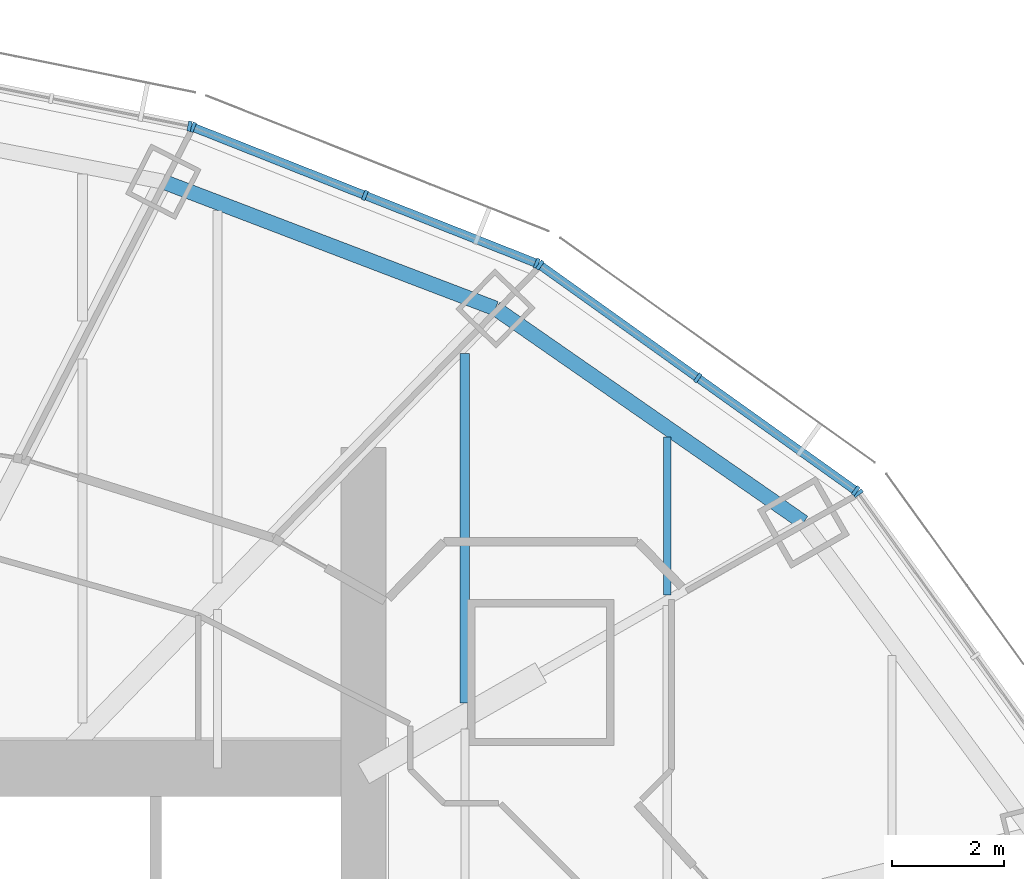
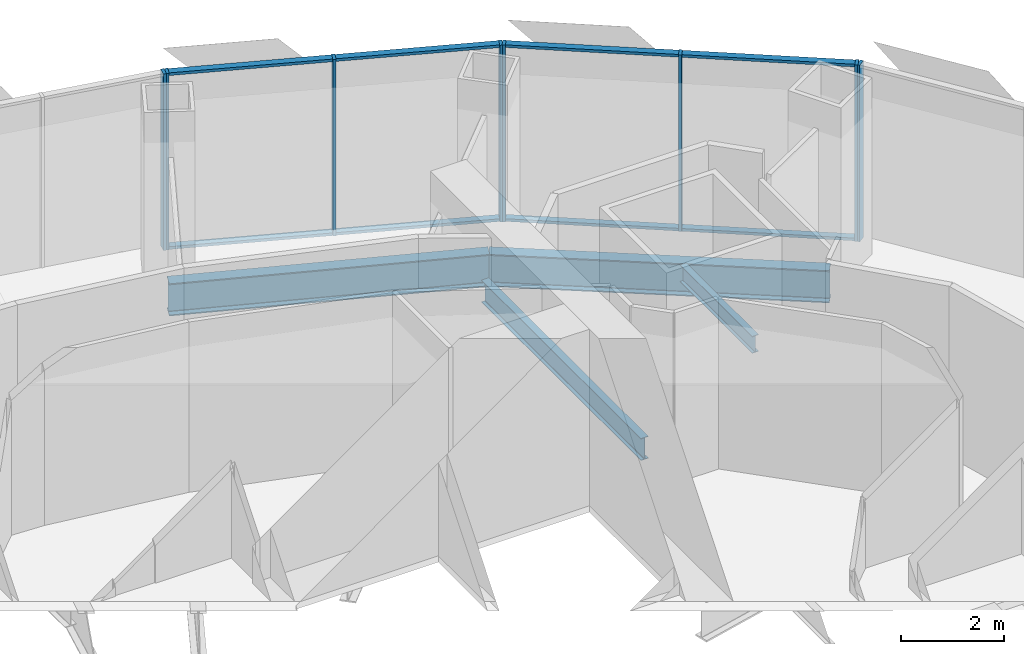
# One storey, part 9 of 18: 16 members, 4 beams, 4 elements without a shape of their own.
"""IFC4 building model written with IfcOpenShell, lengths in metres."""

import ifcopenshell
import ifcopenshell.guid

model = None  # the IFC model being written
_history = None  # IfcOwnerHistory: only IFC2X3 demands one
_inside = {}  # id of a spatial element -> (the spatial element, [elements in it])
_under = {}  # id of a project, library or spatial element -> (it, [spatial elements below it])
_declared = {}  # id of a project -> (the project, [libraries it declares])
_typed = {}  # id of a type object -> (the type object, [elements of that type])
_made_of = {}  # id of a material, layer set ... -> (it, [elements and type objects made of it])


def new_model(schema):
    """Start an empty IFC model of exactly this schema.

    Asked for "IFC4X3", IfcOpenShell would pick the latest addendum, in which some entities
    have other attributes; the version numbers below select the first issue.
    IFC2X3 requires an IfcOwnerHistory on every rooted entity: one is made here for all.
    """
    global model, _history
    if schema == "IFC4X3":
        model = ifcopenshell.file(schema_version=(4, 3, 0, 0))
    else:
        model = ifcopenshell.file(schema=schema)
    _inside.clear()
    _under.clear()
    _declared.clear()
    _typed.clear()
    _made_of.clear()
    _history = None
    if model.schema == "IFC2X3":
        org = make("IfcOrganization", Name="unknown")
        user = make(
            "IfcPersonAndOrganization",
            ThePerson=make("IfcPerson", FamilyName="unknown"),
            TheOrganization=org,
        )
        app = make(
            "IfcApplication",
            ApplicationDeveloper=org,
            Version="unknown",
            ApplicationFullName="unknown",
            ApplicationIdentifier="unknown",
        )
        _history = make(
            "IfcOwnerHistory",
            OwningUser=user,
            OwningApplication=app,
            ChangeAction="ADDED",
            CreationDate=0,
        )
    return model


def make(cls, **values):
    """One entity of the class cls with the attributes given. An attribute that is None is left unset."""
    return model.create_entity(
        cls, **{name: value for name, value in values.items() if value is not None}
    )


def rooted(cls, **values):
    """An entity with a GlobalId (a new one), such as an element, a storey or a relation."""
    return make(cls, GlobalId=ifcopenshell.guid.new(), OwnerHistory=_history, **values)


def si_unit(unit_type, name, prefix=None):
    """IfcSIUnit, for example si_unit("LENGTHUNIT", "METRE", prefix="MILLI")."""
    return make("IfcSIUnit", UnitType=unit_type, Prefix=prefix, Name=name)


def assignment(units):
    """IfcUnitAssignment: the units of a project."""
    return None if units is None else make("IfcUnitAssignment", Units=units)


def point(xyz):
    """IfcCartesianPoint."""
    return None if xyz is None else make("IfcCartesianPoint", Coordinates=xyz)


def direction(xyz):
    """IfcDirection."""
    return None if xyz is None else make("IfcDirection", DirectionRatios=xyz)


def frame(location, z_axis=None, x_axis=None):
    """IfcAxis2Placement3D, a coordinate frame: its origin and axes. An axis left out is left unset."""
    return make(
        "IfcAxis2Placement3D",
        Location=point(location),
        Axis=direction(z_axis),
        RefDirection=direction(x_axis),
    )


def frame_2d(location, x_axis=None):
    """IfcAxis2Placement2D, a coordinate frame in the plane: its origin and x axis."""
    return make(
        "IfcAxis2Placement2D", Location=point(location), RefDirection=direction(x_axis)
    )


def origin():
    """The frame at (0, 0, 0) with its axes left unset."""
    return frame((0.0, 0.0, 0.0))


def origin_2d():
    """The frame at (0, 0) in the plane with its x axis left unset."""
    return frame_2d((0.0, 0.0))


def place(relative_to, where):
    """IfcLocalPlacement: puts the frame where relative to a parent placement (None: the world)."""
    return make(
        "IfcLocalPlacement", PlacementRelTo=relative_to, RelativePlacement=where
    )


def context(
    kind, dimensions, precision=None, world=None, true_north=None, identifier=None
):
    """IfcGeometricRepresentationContext, for example the 3D "Model" context."""
    return make(
        "IfcGeometricRepresentationContext",
        ContextIdentifier=identifier,
        ContextType=kind,
        CoordinateSpaceDimension=dimensions,
        Precision=precision,
        WorldCoordinateSystem=world,
        TrueNorth=true_north,
    )


def subcontext(parent, identifier, kind, view, scale=None):
    """IfcGeometricRepresentationSubContext, for example "Body" below "Model"."""
    return make(
        "IfcGeometricRepresentationSubContext",
        ContextIdentifier=identifier,
        ContextType=kind,
        ParentContext=parent,
        TargetScale=scale,
        TargetView=view,
    )


def project(units=None, contexts=None):
    """IfcProject with its units and contexts."""
    return rooted(
        "IfcProject",
        Name="project",
        RepresentationContexts=contexts,
        UnitsInContext=assignment(units),
    )


def spatial(cls, under=None, at=None, **own):
    """A site, building, storey or space (cls), placed at a placement, below another one or the project."""
    s = rooted(cls, ObjectPlacement=at, **own)
    if under is not None:
        _under.setdefault(under.id(), (under, []))[1].append(s)
    return s


def profile(cls, at=None, kind="AREA", **sizes):
    """A parametric profile (cls). Its sizes go by their IFC names, for example OverallWidth=200.0."""
    return make(cls, ProfileType=kind, Position=at, **sizes)


def rectangle(**sizes):
    """IfcRectangleProfileDef."""
    return profile("IfcRectangleProfileDef", **sizes)


def i_section(**sizes):
    """IfcIShapeProfileDef."""
    return profile("IfcIShapeProfileDef", **sizes)


def extrude(swept, where, along, depth):
    """IfcExtrudedAreaSolid: the profile swept, set in the frame where, extruded along a direction by depth."""
    return make(
        "IfcExtrudedAreaSolid",
        SweptArea=swept,
        Position=where,
        ExtrudedDirection=direction(along),
        Depth=depth,
    )


def shape(context_of_items, identifier, shape_type, items):
    """IfcShapeRepresentation: the items that make up one representation, for example the "Body"."""
    return make(
        "IfcShapeRepresentation",
        ContextOfItems=context_of_items,
        RepresentationIdentifier=identifier,
        RepresentationType=shape_type,
        Items=items,
    )


def material(Name=None, Category=None):
    """IfcMaterial."""
    return make("IfcMaterial", Name=Name, Category=Category)


def material_profile(
    of_material, cross_section, Name=None, Category=None, Priority=None
):
    """IfcMaterialProfile: a cross section and its material."""
    return make(
        "IfcMaterialProfile",
        Name=Name,
        Material=of_material,
        Profile=cross_section,
        Priority=Priority,
        Category=Category,
    )


def profile_set(profiles, Name=None, composite=None):
    """IfcMaterialProfileSet."""
    return make(
        "IfcMaterialProfileSet",
        Name=Name,
        MaterialProfiles=profiles,
        CompositeProfile=composite,
    )


def made_of(thing, what):
    """Note that an element or type object is made of a material, layer set ...; save() writes the relation."""
    if what is not None:
        _made_of.setdefault(what.id(), (what, []))[1].append(thing)
    return thing


def type_object(cls, material=None, **own):
    """A type object (cls), such as IfcWallType, which elements share."""
    return made_of(rooted(cls, **own), material)


def element(
    cls,
    number,
    at=None,
    inside=None,
    cuts=None,
    type_object=None,
    material=None,
    context=None,
    identifier="Body",
    shape_type=None,
    held_by="IfcProductDefinitionShape",
    body=None,
    shapes=None,
    **own,
):
    """One element of the class cls, such as IfcWall. Its Tag is "e" and its number.

    at: its placement. inside: the storey or other place that contains it. cuts: it is an
    opening in that element (IfcRelVoidsElement). A single representation is given by context,
    identifier, shape_type and body (its items); several are given by shapes. held_by: the class
    of the entity that holds the representations. save() writes the other relations.
    """
    e = rooted(cls, Tag="e%d" % number, ObjectPlacement=at, **own)
    if body is not None:
        shapes = [shape(context, identifier, shape_type, body)]
    if shapes is not None:
        e.Representation = make(held_by, Representations=shapes)
    if inside is not None:
        _inside.setdefault(inside.id(), (inside, []))[1].append(e)
    if cuts is not None:
        rooted(
            "IfcRelVoidsElement", RelatingBuildingElement=cuts, RelatedOpeningElement=e
        )
    if type_object is not None:
        _typed.setdefault(type_object.id(), (type_object, []))[1].append(e)
    return made_of(e, material)


def aggregate(whole, parts):
    """IfcRelAggregates: a whole, such as a stair, and the parts it consists of."""
    return rooted("IfcRelAggregates", RelatingObject=whole, RelatedObjects=parts)


def save(model, path):
    """Write the relations noted so far, then the file.

    IfcRelAggregates (storeys below a building ...), IfcRelContainedInSpatialStructure (elements
    in a storey), IfcRelDefinesByType, IfcRelAssociatesMaterial and IfcRelDeclares: one each for
    every whole, place, type object, material and project.
    """
    for whole, parts in _under.values():
        aggregate(whole, parts)
    for where, things in _inside.values():
        rooted(
            "IfcRelContainedInSpatialStructure",
            RelatedElements=things,
            RelatingStructure=where,
        )
    for kind, things in _typed.values():
        rooted("IfcRelDefinesByType", RelatedObjects=things, RelatingType=kind)
    for what, things in _made_of.values():
        rooted("IfcRelAssociatesMaterial", RelatedObjects=things, RelatingMaterial=what)
    for by, libraries in _declared.values():
        rooted("IfcRelDeclares", RelatingContext=by, RelatedDefinitions=libraries)
    model.write(path)


model = new_model("IFC4")

# Units and contexts
model_context = context("Model", 3, precision=1e-05, world=origin(), true_north=direction((0.0, 1.0)))
body_context = subcontext(model_context, "Body", "Model", "MODEL_VIEW")
ifc_project = project(units=[si_unit("LENGTHUNIT", "METRE"), si_unit("AREAUNIT", "SQUARE_METRE"), si_unit("VOLUMEUNIT", "CUBIC_METRE"), si_unit("PLANEANGLEUNIT", "RADIAN"), si_unit("MASSUNIT", "GRAM", prefix="KILO")], contexts=[model_context])

# Site, building, storey
site_placement = place(None, origin())
site = spatial("IfcSite", under=ifc_project, at=site_placement, CompositionType="ELEMENT")
building_placement = place(site_placement, origin())
building = spatial("IfcBuilding", under=site, at=building_placement, Name="Lantaw Convention Tower", CompositionType="ELEMENT")
storey_placement = place(building_placement, frame((0.0, 0.0, 236.800048828125)))
storey = spatial("IfcBuildingStorey", under=building, at=storey_placement, Name="L55", CompositionType="ELEMENT", Elevation=236.800048828125)

# Beams
ifc_material_1 = material(Name="Steel ASTM A992", Category="steel")
ifc_material_profile_1 = material_profile(ifc_material_1, i_section(OverallWidth=0.2666015625, OverallDepth=0.76953125, WebThickness=0.015625, FlangeThickness=0.025390625, FilletRadius=0.0126953125, at=origin_2d()), Name="W30X132")
ifc_profile_set_1 = profile_set([ifc_material_profile_1], Name="Steel ASTM A992")
beam_type_1 = type_object("IfcBeamType", Name="Beam E W30X132", PredefinedType="SPANDREL", material=ifc_profile_set_1)
beam_1_placement = place(storey_placement, frame((20.423095703125, 11.67041015625, -0.534912109375), z_axis=(-0.82135329406, 0.570419815869, 0.0), x_axis=(-0.570419815869, -0.82135329406, 0.0)))
element("IfcBeam", 1, at=beam_1_placement, inside=storey, type_object=beam_type_1, Name="Edge beam 3", PredefinedType="SPANDREL", context=body_context, shape_type="SweptSolid", body=[
    extrude(i_section(OverallWidth=0.2666015625, OverallDepth=0.76953125, WebThickness=0.015625, FlangeThickness=0.025390625, FilletRadius=0.0126953125, at=origin_2d()), origin(), (0.0, 0.0, 1.0), 6.67041015625),
])
beam_2_placement = place(storey_placement, frame((14.9443359375, 15.475341796875, -0.534912109375), z_axis=(-0.934234988, 0.356658081637, 0.0), x_axis=(-0.356658081637, -0.934234988, 0.0)))
element("IfcBeam", 2, at=beam_2_placement, inside=storey, type_object=beam_type_1, Name="Edge beam 4", PredefinedType="SPANDREL", context=body_context, shape_type="SweptSolid", body=[
    extrude(i_section(OverallWidth=0.2666015625, OverallDepth=0.76953125, WebThickness=0.015625, FlangeThickness=0.025390625, FilletRadius=0.0126953125, at=origin_2d()), origin(), (0.0, 0.0, 1.0), 6.32568359375),
])
ifc_material_profile_2 = material_profile(ifc_material_1, i_section(OverallWidth=0.140380859375, OverallDepth=0.40380859375, WebThickness=0.007080078125, FlangeThickness=0.01123046875, FilletRadius=0.01025390625, at=origin_2d()), Name="W16X31")
ifc_profile_set_2 = profile_set([ifc_material_profile_2], Name="Steel ASTM A992")
beam_type_2 = type_object("IfcBeamType", Name="Beam J W16X31", PredefinedType="JOIST", material=ifc_profile_set_2)
beam_3_placement = place(storey_placement, frame((18.0, 10.380859375, -0.35205078125), z_axis=(0.0, 1.0, 0.0), x_axis=(-1.0, 0.0, 0.0)))
element("IfcBeam", 3, at=beam_3_placement, inside=storey, type_object=beam_type_2, Name="Floor joist", PredefinedType="JOIST", context=body_context, shape_type="SweptSolid", body=[
    extrude(i_section(OverallWidth=0.140380859375, OverallDepth=0.40380859375, WebThickness=0.007080078125, FlangeThickness=0.01123046875, FilletRadius=0.01025390625, at=origin_2d()), origin(), (0.0, 0.0, 1.0), 2.81005859375),
])
ifc_material_profile_3 = material_profile(ifc_material_1, i_section(OverallWidth=0.1650390625, OverallDepth=0.52587890625, WebThickness=0.0087890625, FlangeThickness=0.011474609375, FilletRadius=0.0126953125, at=origin_2d()), Name="W21X44")
ifc_profile_set_3 = profile_set([ifc_material_profile_3], Name="Steel ASTM A992")
beam_type_3 = type_object("IfcBeamType", Name="Beam J W21X44", PredefinedType="JOIST", material=ifc_profile_set_3)
beam_4_placement = place(storey_placement, frame((14.39990234375, 8.461181640625, -0.412841796875), z_axis=(0.0, 1.0, 0.0), x_axis=(-1.0, 0.0, 0.0)))
element("IfcBeam", 4, at=beam_4_placement, inside=storey, type_object=beam_type_3, Name="Floor joist", PredefinedType="JOIST", context=body_context, shape_type="SweptSolid", body=[
    extrude(i_section(OverallWidth=0.1650390625, OverallDepth=0.52587890625, WebThickness=0.0087890625, FlangeThickness=0.011474609375, FilletRadius=0.0126953125, at=origin_2d()), origin(), (0.0, 0.0, 1.0), 6.214599609375),
])

# Curtain wall, member
ifc_material_2 = material(Name="Aluminium framed curtain wall", Category="aluminium")
curtain_wall_type = type_object("IfcCurtainWallType", Name="Office curtain wall high rise, pale aluminium", PredefinedType="USERDEFINED", material=ifc_material_2)
curtain_wall_1_placement = place(storey_placement, origin())
curtain_wall_1 = element("IfcCurtainWall", 5, at=curtain_wall_1_placement, inside=storey, type_object=curtain_wall_type, Name="Office curtain wall high rise, pale aluminium L55", ObjectType="UNITISED CURTAIN WALL", PredefinedType="USERDEFINED")
ifc_material_3 = material(Name="Aluminium 6063-T6", Category="aluminium")
ifc_material_profile_4 = material_profile(ifc_material_3, rectangle(XDim=0.179931640625, YDim=0.06494140625, at=origin_2d()), Name="CW-O2 mullion 65x180")
ifc_profile_set_4 = profile_set([ifc_material_profile_4], Name="Aluminium 6063-T6")
member_type_1 = type_object("IfcMemberType", Name="CW-O2 mullion 65x180", PredefinedType="MULLION", material=ifc_profile_set_4)
member_1_placement = place(storey_placement, frame((21.397216796875, 12.189697265625, -0.150146484375), z_axis=(0.0, 0.0, 1.0), x_axis=(-0.810919559405, -0.585157643865, 0.0)))
member_1 = element("IfcMember", 6, at=member_1_placement, type_object=member_type_1, Name="CW-O2 mullion 3", PredefinedType="MULLION", context=body_context, shape_type="SweptSolid", body=[
    extrude(rectangle(XDim=0.179931640625, YDim=0.06494140625, at=origin_2d()), origin(), (0.0, 0.0, 1.0), 4.2001953125),
])
aggregate(curtain_wall_1, [member_1])

# Curtain wall, members
curtain_wall_2_placement = place(storey_placement, origin())
curtain_wall_2 = element("IfcCurtainWall", 7, at=curtain_wall_2_placement, inside=storey, type_object=curtain_wall_type, Name="Office curtain wall high rise, pale aluminium L55", ObjectType="UNITISED CURTAIN WALL", PredefinedType="USERDEFINED")
member_2_placement = place(storey_placement, frame((21.3515625, 12.23486328125, -0.150146484375), z_axis=(0.0, 0.0, 1.0), x_axis=(-0.581323487281, -0.813672540482, 0.0)))
member_2 = element("IfcMember", 8, at=member_2_placement, type_object=member_type_1, Name="CW-O2 mullion 1", PredefinedType="MULLION", context=body_context, shape_type="SweptSolid", body=[
    extrude(rectangle(XDim=0.179931640625, YDim=0.06494140625, at=origin_2d()), origin(), (0.0, 0.0, 1.0), 4.2001953125),
])
member_3_placement = place(storey_placement, frame((18.543212890625, 14.241455078125, -0.150146484375), z_axis=(0.0, 0.0, 1.0), x_axis=(-0.581323487281, -0.813672540482, 0.0)))
member_3 = element("IfcMember", 9, at=member_3_placement, type_object=member_type_1, Name="CW-O2 mullion 2", PredefinedType="MULLION", context=body_context, shape_type="SweptSolid", body=[
    extrude(rectangle(XDim=0.179931640625, YDim=0.06494140625, at=origin_2d()), origin(), (0.0, 0.0, 1.0), 4.2001953125),
])
member_4_placement = place(storey_placement, frame((15.73486328125, 16.247802734375, -0.150146484375), z_axis=(0.0, 0.0, 1.0), x_axis=(-0.581323487281, -0.813672540482, 0.0)))
member_4 = element("IfcMember", 10, at=member_4_placement, type_object=member_type_1, Name="CW-O2 mullion 3", PredefinedType="MULLION", context=body_context, shape_type="SweptSolid", body=[
    extrude(rectangle(XDim=0.179931640625, YDim=0.06494140625, at=origin_2d()), origin(), (0.0, 0.0, 1.0), 4.2001953125),
])

curtain_wall_3_placement = place(storey_placement, origin())
curtain_wall_3 = element("IfcCurtainWall", 11, at=curtain_wall_3_placement, inside=storey, type_object=curtain_wall_type, Name="Office curtain wall high rise, pale aluminium L55", ObjectType="UNITISED CURTAIN WALL", PredefinedType="USERDEFINED")
member_5_placement = place(storey_placement, frame((15.67822265625, 16.278564453125, -0.150146484375), z_axis=(0.0, 0.0, 1.0), x_axis=(-0.368162315252, -0.929761533743, 0.0)))
member_5 = element("IfcMember", 12, at=member_5_placement, type_object=member_type_1, Name="CW-O2 mullion 1", PredefinedType="MULLION", context=body_context, shape_type="SweptSolid", body=[
    extrude(rectangle(XDim=0.179931640625, YDim=0.06494140625, at=origin_2d()), origin(), (0.0, 0.0, 1.0), 4.2001953125),
])
member_6_placement = place(storey_placement, frame((12.621337890625, 17.4892578125, -0.150146484375), z_axis=(0.0, 0.0, 1.0), x_axis=(-0.368162315252, -0.929761533743, 0.0)))
member_6 = element("IfcMember", 13, at=member_6_placement, type_object=member_type_1, Name="CW-O2 mullion 2", PredefinedType="MULLION", context=body_context, shape_type="SweptSolid", body=[
    extrude(rectangle(XDim=0.179931640625, YDim=0.06494140625, at=origin_2d()), origin(), (0.0, 0.0, 1.0), 4.2001953125),
])
member_7_placement = place(storey_placement, frame((9.564208984375, 18.69970703125, -0.150146484375), z_axis=(0.0, 0.0, 1.0), x_axis=(-0.368162315252, -0.929761533743, 0.0)))
member_7 = element("IfcMember", 14, at=member_7_placement, type_object=member_type_1, Name="CW-O2 mullion 3", PredefinedType="MULLION", context=body_context, shape_type="SweptSolid", body=[
    extrude(rectangle(XDim=0.179931640625, YDim=0.06494140625, at=origin_2d()), origin(), (0.0, 0.0, 1.0), 4.2001953125),
])

# Curtain wall, member
curtain_wall_4_placement = place(storey_placement, origin())
curtain_wall_4 = element("IfcCurtainWall", 15, at=curtain_wall_4_placement, inside=storey, type_object=curtain_wall_type, Name="Office curtain wall high rise, pale aluminium L55", ObjectType="UNITISED CURTAIN WALL", PredefinedType="USERDEFINED")
member_8_placement = place(storey_placement, frame((9.502197265625, 18.718017578125, -0.150146484375), z_axis=(0.0, 0.0, 1.0), x_axis=(-0.197183095987, -0.980366679695, 0.0)))
member_8 = element("IfcMember", 16, at=member_8_placement, type_object=member_type_1, Name="CW-O2 mullion 1", PredefinedType="MULLION", context=body_context, shape_type="SweptSolid", body=[
    extrude(rectangle(XDim=0.179931640625, YDim=0.06494140625, at=origin_2d()), origin(), (0.0, 0.0, 1.0), 4.2001953125),
])
aggregate(curtain_wall_4, [member_8])

# Member
ifc_material_profile_5 = material_profile(ifc_material_3, rectangle(XDim=0.14990234375, YDim=0.06494140625, at=origin_2d()), Name="CW-O2 transom 65x150")
ifc_profile_set_5 = profile_set([ifc_material_profile_5], Name="Aluminium 6063-T6")
member_type_2 = type_object("IfcMemberType", Name="CW-O2 transom 65x150", PredefinedType="USERDEFINED", material=ifc_profile_set_5)
member_9_placement = place(storey_placement, frame((21.3251953125, 12.25390625, -0.117431640625), z_axis=(-0.813679882592, 0.581313210468, 0.0), x_axis=(-0.581313210468, -0.813679882592, 0.0)))
member_9 = element("IfcMember", 17, at=member_9_placement, type_object=member_type_2, Name="CW-O2 transom 1.1", ObjectType="TRANSOM", PredefinedType="USERDEFINED", context=body_context, shape_type="SweptSolid", body=[
    extrude(rectangle(XDim=0.14990234375, YDim=0.06494140625, at=origin_2d()), origin(), (0.0, 0.0, 1.0), 3.38623046875),
])

member_10_placement = place(storey_placement, frame((21.3251953125, 12.25390625, 4.017333984375), z_axis=(-0.813679882592, 0.581313210468, 0.0), x_axis=(-0.581313210468, -0.813679882592, 0.0)))
member_10 = element("IfcMember", 18, at=member_10_placement, type_object=member_type_2, Name="CW-O2 transom 1.2", ObjectType="TRANSOM", PredefinedType="USERDEFINED", context=body_context, shape_type="SweptSolid", body=[
    extrude(rectangle(XDim=0.14990234375, YDim=0.06494140625, at=origin_2d()), origin(), (0.0, 0.0, 1.0), 3.38623046875),
])

member_11_placement = place(storey_placement, frame((18.516845703125, 14.26025390625, -0.117431640625), z_axis=(-0.813645780821, 0.581360940683, 0.0), x_axis=(-0.581360940683, -0.813645780821, 0.0)))
member_11 = element("IfcMember", 19, at=member_11_placement, type_object=member_type_2, Name="CW-O2 transom 2.1", ObjectType="TRANSOM", PredefinedType="USERDEFINED", context=body_context, shape_type="SweptSolid", body=[
    extrude(rectangle(XDim=0.14990234375, YDim=0.06494140625, at=origin_2d()), origin(), (0.0, 0.0, 1.0), 3.386474609375),
])

member_12_placement = place(storey_placement, frame((18.516845703125, 14.26025390625, 4.017333984375), z_axis=(-0.813645780821, 0.581360940683, 0.0), x_axis=(-0.581360940683, -0.813645780821, 0.0)))
member_12 = element("IfcMember", 20, at=member_12_placement, type_object=member_type_2, Name="CW-O2 transom 2.2", ObjectType="TRANSOM", PredefinedType="USERDEFINED", context=body_context, shape_type="SweptSolid", body=[
    extrude(rectangle(XDim=0.14990234375, YDim=0.06494140625, at=origin_2d()), origin(), (0.0, 0.0, 1.0), 3.386474609375),
])

aggregate(curtain_wall_2, [member_2, member_3, member_4, member_9, member_10, member_11, member_12])

member_13_placement = place(storey_placement, frame((15.648193359375, 16.29052734375, -0.117431640625), z_axis=(-0.929740712354, 0.368214893495, 0.0), x_axis=(-0.368214893495, -0.929740712354, 0.0)))
member_13 = element("IfcMember", 21, at=member_13_placement, type_object=member_type_2, Name="CW-O2 transom 1.1", ObjectType="TRANSOM", PredefinedType="USERDEFINED", context=body_context, shape_type="SweptSolid", body=[
    extrude(rectangle(XDim=0.14990234375, YDim=0.06494140625, at=origin_2d()), origin(), (0.0, 0.0, 1.0), 3.22314453125),
])

member_14_placement = place(storey_placement, frame((15.648193359375, 16.29052734375, 4.017333984375), z_axis=(-0.929740712354, 0.368214893495, 0.0), x_axis=(-0.368214893495, -0.929740712354, 0.0)))
member_14 = element("IfcMember", 22, at=member_14_placement, type_object=member_type_2, Name="CW-O2 transom 1.2", ObjectType="TRANSOM", PredefinedType="USERDEFINED", context=body_context, shape_type="SweptSolid", body=[
    extrude(rectangle(XDim=0.14990234375, YDim=0.06494140625, at=origin_2d()), origin(), (0.0, 0.0, 1.0), 3.22314453125),
])

member_15_placement = place(storey_placement, frame((12.591064453125, 17.501220703125, -0.117431640625), z_axis=(-0.929766642946, 0.368149412149, 0.0), x_axis=(-0.368149412149, -0.929766642946, 0.0)))
member_15 = element("IfcMember", 23, at=member_15_placement, type_object=member_type_2, Name="CW-O2 transom 2.1", ObjectType="TRANSOM", PredefinedType="USERDEFINED", context=body_context, shape_type="SweptSolid", body=[
    extrude(rectangle(XDim=0.14990234375, YDim=0.06494140625, at=origin_2d()), origin(), (0.0, 0.0, 1.0), 3.222900390625),
])

member_16_placement = place(storey_placement, frame((12.591064453125, 17.501220703125, 4.017333984375), z_axis=(-0.929766642946, 0.368149412149, 0.0), x_axis=(-0.368149412149, -0.929766642946, 0.0)))
member_16 = element("IfcMember", 24, at=member_16_placement, type_object=member_type_2, Name="CW-O2 transom 2.2", ObjectType="TRANSOM", PredefinedType="USERDEFINED", context=body_context, shape_type="SweptSolid", body=[
    extrude(rectangle(XDim=0.14990234375, YDim=0.06494140625, at=origin_2d()), origin(), (0.0, 0.0, 1.0), 3.222900390625),
])

aggregate(curtain_wall_3, [member_5, member_6, member_7, member_13, member_14, member_15, member_16])

save(model, "model.ifc")
